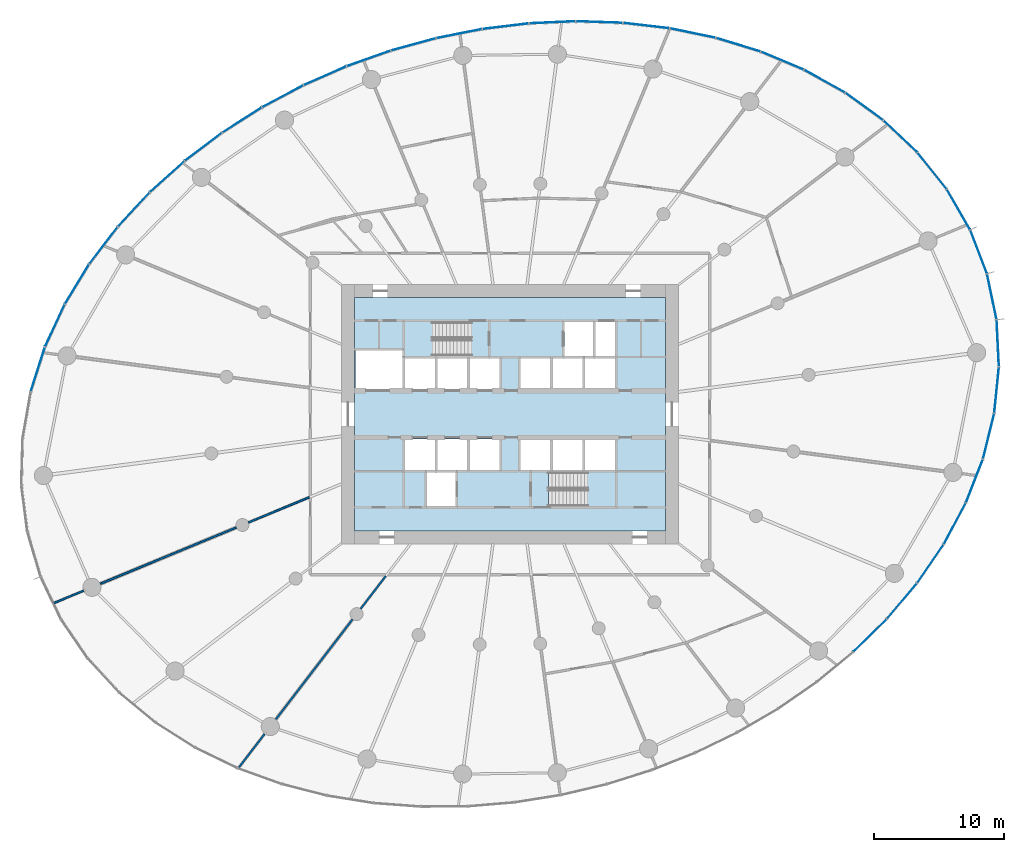
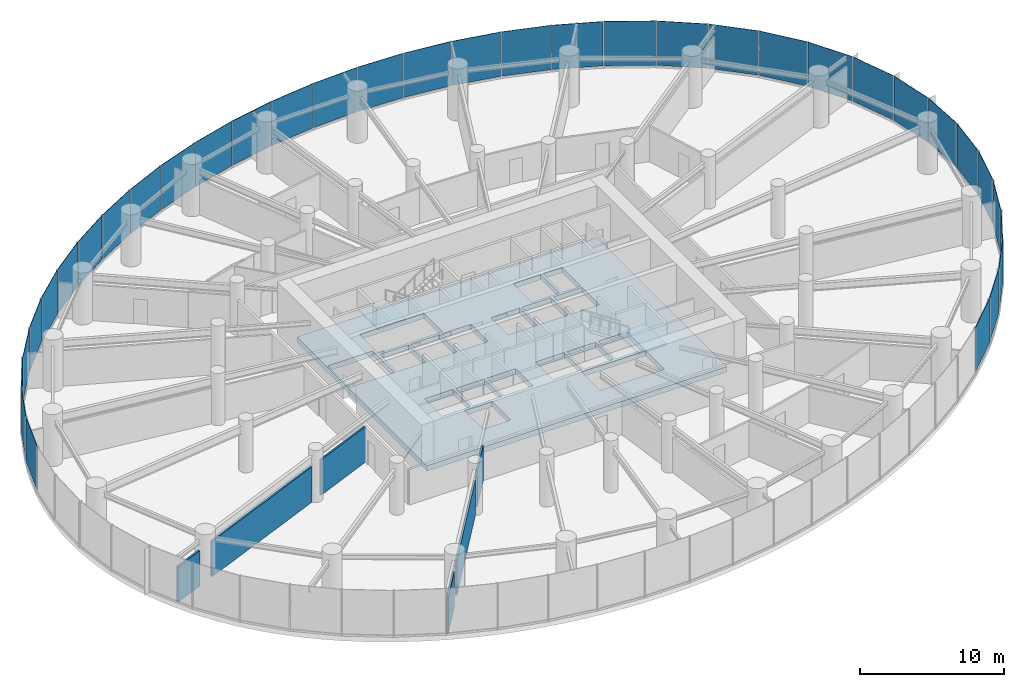
# One storey, part 10 of 18: 35 plates, 6 walls, 3 slabs, 9 elements without a shape of their own.
"""IFC4 building model written with IfcOpenShell, lengths in metres."""

from ifc_helpers import new_model, si_unit, direction, frame, frame_2d, origin, origin_2d, place, context, subcontext, project, spatial, line, indexed_curve, rectangle, outline, extrude, source, transform, mapped, material, layer, layer_set, type_object, element, aggregate, save


model = new_model("IFC4")

# Units and contexts
model_context = context("Model", 3, precision=1e-05, world=origin(), true_north=direction((0.0, 1.0)))
body_context = subcontext(model_context, "Body", "Model", "MODEL_VIEW")
ifc_project = project(units=[si_unit("LENGTHUNIT", "METRE"), si_unit("AREAUNIT", "SQUARE_METRE"), si_unit("VOLUMEUNIT", "CUBIC_METRE"), si_unit("PLANEANGLEUNIT", "RADIAN"), si_unit("MASSUNIT", "GRAM", prefix="KILO")], contexts=[model_context])

# Site, building, storey
site_placement = place(None, origin())
site = spatial("IfcSite", under=ifc_project, at=site_placement, CompositionType="ELEMENT")
building_placement = place(site_placement, origin())
building = spatial("IfcBuilding", under=site, at=building_placement, Name="Spindrift Exchange Tower", CompositionType="ELEMENT")
storey_placement = place(building_placement, frame((0.0, 0.0, 71.0)))
storey = spatial("IfcBuildingStorey", under=building, at=storey_placement, Name="L16", CompositionType="ELEMENT", Elevation=71.0)

# Slab
ifc_material_1 = material(Name="Concrete 50 MPa", Category="concrete")
ifc_layer_1 = layer(ifc_material_1, 0.449951171875)
ifc_layer_set_1 = layer_set([ifc_layer_1], Name="SL-CORE-FLOOR-450")
slab_type_1 = type_object("IfcSlabType", Name="SL-CORE-FLOOR-450", PredefinedType="FLOOR", material=ifc_layer_set_1)
slab_1_placement = place(storey_placement, frame((0.0, 0.0, -0.449951171875)))
element("IfcSlab", 1, at=slab_1_placement, inside=storey, type_object=slab_type_1, Name="L16 Core floor slab", PredefinedType="FLOOR", context=body_context, shape_type="SweptSolid", body=[
    extrude(outline(indexed_curve([(40.0, 39.0), (40.0, 57.0), (64.0, 57.0), (64.0, 39.0)], segments=[line(1, 2, 3, 4, 1)], self_intersect=False), holes=[indexed_curve([(47.800048828125, 43.5), (45.60009765625, 43.5), (45.60009765625, 40.89990234375), (47.800048828125, 40.89990234375)], segments=[line(1, 2, 3, 4, 1)], self_intersect=False), indexed_curve([(46.199951171875, 46.10009765625), (43.89990234375, 46.10009765625), (43.89990234375, 43.699951171875), (46.199951171875, 43.699951171875)], segments=[line(1, 2, 3, 4, 1)], self_intersect=False), indexed_curve([(48.699951171875, 46.10009765625), (46.39990234375, 46.10009765625), (46.39990234375, 43.699951171875), (48.699951171875, 43.699951171875)], segments=[line(1, 2, 3, 4, 1)], self_intersect=False), indexed_curve([(51.199951171875, 46.10009765625), (48.89990234375, 46.10009765625), (48.89990234375, 43.699951171875), (51.199951171875, 43.699951171875)], segments=[line(1, 2, 3, 4, 1)], self_intersect=False), indexed_curve([(46.199951171875, 52.300048828125), (43.89990234375, 52.300048828125), (43.89990234375, 49.89990234375), (46.199951171875, 49.89990234375)], segments=[line(1, 2, 3, 4, 1)], self_intersect=False), indexed_curve([(48.699951171875, 52.300048828125), (46.39990234375, 52.300048828125), (46.39990234375, 49.89990234375), (48.699951171875, 49.89990234375)], segments=[line(1, 2, 3, 4, 1)], self_intersect=False), indexed_curve([(51.199951171875, 52.300048828125), (48.89990234375, 52.300048828125), (48.89990234375, 49.89990234375), (51.199951171875, 49.89990234375)], segments=[line(1, 2, 3, 4, 1)], self_intersect=False), indexed_curve([(43.699951171875, 49.89990234375), (43.699951171875, 52.89990234375), (40.10009765625, 52.89990234375), (40.10009765625, 49.89990234375)], segments=[line(1, 2, 3, 4, 1)], self_intersect=False), indexed_curve([(49.0439453125, 55.093994140625), (43.906005859375, 55.093994140625), (43.906005859375, 52.506103515625), (49.0439453125, 52.506103515625)], segments=[line(1, 2, 3, 4, 1)], self_intersect=False), indexed_curve([(60.093994140625, 40.906005859375), (60.093994140625, 43.493896484375), (54.9560546875, 43.493896484375), (54.9560546875, 40.906005859375)], segments=[line(1, 2, 3, 4, 1)], self_intersect=False), indexed_curve([(55.10009765625, 46.10009765625), (52.800048828125, 46.10009765625), (52.800048828125, 43.699951171875), (55.10009765625, 43.699951171875)], segments=[line(1, 2, 3, 4, 1)], self_intersect=False), indexed_curve([(57.60009765625, 46.10009765625), (55.300048828125, 46.10009765625), (55.300048828125, 43.699951171875), (57.60009765625, 43.699951171875)], segments=[line(1, 2, 3, 4, 1)], self_intersect=False), indexed_curve([(60.10009765625, 46.10009765625), (57.800048828125, 46.10009765625), (57.800048828125, 43.699951171875), (60.10009765625, 43.699951171875)], segments=[line(1, 2, 3, 4, 1)], self_intersect=False), indexed_curve([(55.10009765625, 52.300048828125), (52.800048828125, 52.300048828125), (52.800048828125, 49.89990234375), (55.10009765625, 49.89990234375)], segments=[line(1, 2, 3, 4, 1)], self_intersect=False), indexed_curve([(57.60009765625, 52.300048828125), (55.300048828125, 52.300048828125), (55.300048828125, 49.89990234375), (57.60009765625, 49.89990234375)], segments=[line(1, 2, 3, 4, 1)], self_intersect=False), indexed_curve([(60.10009765625, 52.300048828125), (57.800048828125, 52.300048828125), (57.800048828125, 49.89990234375), (60.10009765625, 49.89990234375)], segments=[line(1, 2, 3, 4, 1)], self_intersect=False), indexed_curve([(58.39990234375, 52.5), (58.39990234375, 55.10009765625), (56.199951171875, 55.10009765625), (56.199951171875, 52.5)], segments=[line(1, 2, 3, 4, 1)], self_intersect=False), indexed_curve([(60.10009765625, 52.5), (60.10009765625, 55.10009765625), (58.60009765625, 55.10009765625), (58.60009765625, 52.5)], segments=[line(1, 2, 3, 4, 1)], self_intersect=False)]), origin(), (0.0, 0.0, 1.0), 0.449951171875),
])

# Stair, slab
stair_type = type_object("IfcStairType", Name="ST-1250-R183", PredefinedType="HALF_TURN_STAIR", material=ifc_material_1)
stair_1_placement = place(storey_placement, origin())
stair_1 = element("IfcStair", 2, at=stair_1_placement, inside=storey, type_object=stair_type, Name="L16 Exit stair ST1", PredefinedType="HALF_TURN_STAIR")
ifc_layer_2 = layer(ifc_material_1, 0.199951171875)
ifc_layer_set_2 = layer_set([ifc_layer_2], Name="SL-LANDING")
slab_type_2 = type_object("IfcSlabType", Name="SL-LANDING", PredefinedType="LANDING", material=ifc_layer_set_2)
slab_2_placement = place(storey_placement, frame((0.0, 0.0, 2.0)))
slab_2 = element("IfcSlab", 3, at=slab_2_placement, type_object=slab_type_2, Name="ST1 landing 1", PredefinedType="LANDING", context=body_context, shape_type="SweptSolid", body=[
    extrude(outline(indexed_curve([(46.050048828125, 52.39990234375), (43.800048828125, 52.39990234375), (43.800048828125, 55.199951171875), (46.050048828125, 55.199951171875)], segments=[line(1, 2, 3, 4, 1)], self_intersect=False)), origin(), (0.0, 0.0, 1.0), 0.199951171875),
])
aggregate(stair_1, [slab_2])

stair_2_placement = place(storey_placement, origin())
stair_2 = element("IfcStair", 4, at=stair_2_placement, inside=storey, type_object=stair_type, Name="L16 Exit stair ST2", PredefinedType="HALF_TURN_STAIR")
slab_3_placement = place(storey_placement, frame((0.0, 0.0, 2.0)))
slab_3 = element("IfcSlab", 5, at=slab_3_placement, type_object=slab_type_2, Name="ST2 landing 1", PredefinedType="LANDING", context=body_context, shape_type="SweptSolid", body=[
    extrude(outline(indexed_curve([(57.949951171875, 43.60009765625), (60.199951171875, 43.60009765625), (60.199951171875, 40.800048828125), (57.949951171875, 40.800048828125)], segments=[line(1, 2, 3, 4, 1)], self_intersect=False)), origin(), (0.0, 0.0, 1.0), 0.199951171875),
])
aggregate(stair_2, [slab_3])

# Curtain wall, plates
ifc_material_2 = material(Name="Fritted laminated glass with bronze frame", Category="glass")
ifc_layer_3 = layer(ifc_material_2, 0.199951171875)
ifc_layer_set_3 = layer_set([ifc_layer_3], Name="ZONE 1 BRONZE FRITTED WALL")
curtain_wall_type = type_object("IfcCurtainWallType", Name="ZONE 1 BRONZE FRITTED WALL", PredefinedType="NOTDEFINED", material=ifc_layer_set_3)
curtain_wall_1_placement = place(storey_placement, origin())
curtain_wall_1 = element("IfcCurtainWall", 6, at=curtain_wall_1_placement, inside=storey, type_object=curtain_wall_type, Name="L16 Zone 1 Bronze Fritted Wall run 1", PredefinedType="NOTDEFINED")
ifc_material_3 = material(Name="Bronze fritted laminated glass, dense frit", Category="glass")
ifc_layer_4 = layer(ifc_material_3, 0.035888671875)
ifc_layer_set_4 = layer_set([ifc_layer_4], Name="ZONE 1 BRONZE FRITTED WALL PANEL DENSE FRIT 300")
plate_type_1 = type_object("IfcPlateType", Name="ZONE 1 BRONZE FRITTED WALL PANEL DENSE FRIT 300", PredefinedType="CURTAIN_PANEL", material=ifc_layer_set_4)
shared_shape_1 = source(origin(), body_context, "Body", "SweptSolid", [
    extrude(rectangle(XDim=3.54443359375, YDim=0.035888671875, at=origin_2d()), origin(), (0.0, 0.0, 1.0), 3.75),
])
plate_1_placement = place(storey_placement, frame((88.142333984375, 60.516357421875, 0.14990234375), z_axis=(0.0, 0.0, 1.0), x_axis=(-0.357769884351, 0.933809782478, 0.0)))
plate_1 = element("IfcPlate", 7, at=plate_1_placement, type_object=plate_type_1, Name="L16 panel CW-1.1", PredefinedType="CURTAIN_PANEL", context=body_context, shape_type="MappedRepresentation", body=[
    mapped(shared_shape_1, transform((0.0, 0.0, 0.0), scale=1.0)),
])
ifc_layer_5 = layer(ifc_material_3, 0.035888671875)
ifc_layer_set_5 = layer_set([ifc_layer_5], Name="ZONE 1 BRONZE FRITTED WALL PANEL DENSE FRIT 420")
plate_type_2 = type_object("IfcPlateType", Name="ZONE 1 BRONZE FRITTED WALL PANEL DENSE FRIT 420", PredefinedType="CURTAIN_PANEL", material=ifc_layer_set_5)
shared_shape_2 = source(origin(), body_context, "Body", "SweptSolid", [
    extrude(rectangle(XDim=3.544677734375, YDim=0.035888671875, at=origin_2d()), origin(), (0.0, 0.0, 1.0), 3.75),
])
plate_2_placement = place(storey_placement, frame((86.589111328125, 63.77880859375, 0.14990234375), z_axis=(0.0, 0.0, 1.0), x_axis=(-0.499442153042, 0.866347237408, 0.0)))
plate_2 = element("IfcPlate", 8, at=plate_2_placement, type_object=plate_type_2, Name="L16 panel CW-1.2", PredefinedType="CURTAIN_PANEL", context=body_context, shape_type="MappedRepresentation", body=[
    mapped(shared_shape_2, transform((0.0, 0.0, 0.0), scale=1.0)),
])

# Curtain wall, plate
curtain_wall_2_placement = place(storey_placement, origin())
curtain_wall_2 = element("IfcCurtainWall", 9, at=curtain_wall_2_placement, inside=storey, type_object=curtain_wall_type, Name="L16 Zone 1 Bronze Fritted Wall run 10", PredefinedType="NOTDEFINED")
plate_3_placement = place(storey_placement, frame((89.622802734375, 53.466552734375, 0.14990234375), z_axis=(0.0, 0.0, 1.0), x_axis=(-0.049301265392, 0.998783953231, 0.0)))
plate_3 = element("IfcPlate", 10, at=plate_3_placement, type_object=plate_type_2, Name="L16 panel CW-1.58", PredefinedType="CURTAIN_PANEL", context=body_context, shape_type="MappedRepresentation", body=[
    mapped(shared_shape_2, transform((0.0, 0.0, 0.0), scale=1.0)),
])

# Plate
shared_shape_3 = source(origin(), body_context, "Body", "SweptSolid", [
    extrude(rectangle(XDim=3.544921875, YDim=0.035888671875, at=origin_2d()), origin(), (0.0, 0.0, 1.0), 3.75),
])
plate_4_placement = place(storey_placement, frame((84.553466796875, 66.765625, 0.14990234375), z_axis=(0.0, 0.0, 1.0), x_axis=(-0.623610849761, 0.781734934655, 0.0)))
plate_4 = element("IfcPlate", 11, at=plate_4_placement, type_object=plate_type_2, Name="L16 panel CW-1.3", PredefinedType="CURTAIN_PANEL", context=body_context, shape_type="MappedRepresentation", body=[
    mapped(shared_shape_3, transform((0.0, 0.0, 0.0), scale=1.0)),
])

plate_5_placement = place(storey_placement, frame((89.529296875, 49.853271484375, 0.14990234375), z_axis=(0.0, 0.0, 1.0), x_axis=(0.100910438968, 0.994895513764, 0.0)))
plate_5 = element("IfcPlate", 12, at=plate_5_placement, type_object=plate_type_2, Name="L16 panel CW-1.57", PredefinedType="CURTAIN_PANEL", context=body_context, shape_type="MappedRepresentation", body=[
    mapped(shared_shape_3, transform((0.0, 0.0, 0.0), scale=1.0)),
])

shared_shape_4 = source(origin(), body_context, "Body", "SweptSolid", [
    extrude(rectangle(XDim=3.54541015625, YDim=0.035888671875, at=origin_2d()), origin(), (0.0, 0.0, 1.0), 3.75),
])
plate_6_placement = place(storey_placement, frame((82.10498046875, 69.4267578125, 0.14990234375), z_axis=(0.0, 0.0, 1.0), x_axis=(-0.727250664222, 0.686371962851, 0.0)))
plate_6 = element("IfcPlate", 13, at=plate_6_placement, type_object=plate_type_1, Name="L16 panel CW-1.4", PredefinedType="CURTAIN_PANEL", context=body_context, shape_type="MappedRepresentation", body=[
    mapped(shared_shape_4, transform((0.0, 0.0, 0.0), scale=1.0)),
])

plate_7_placement = place(storey_placement, frame((88.911865234375, 46.2900390625, 0.14990234375), z_axis=(0.0, 0.0, 1.0), x_axis=(0.239692632489, 0.970848825477, 0.0)))
plate_7 = element("IfcPlate", 14, at=plate_7_placement, type_object=plate_type_1, Name="L16 panel CW-1.56", PredefinedType="CURTAIN_PANEL", context=body_context, shape_type="MappedRepresentation", body=[
    mapped(shared_shape_4, transform((0.0, 0.0, 0.0), scale=1.0)),
])

shared_shape_5 = source(origin(), body_context, "Body", "SweptSolid", [
    extrude(rectangle(XDim=3.5458984375, YDim=0.035888671875, at=origin_2d()), origin(), (0.0, 0.0, 1.0), 3.75),
])
plate_8_placement = place(storey_placement, frame((79.31787109375, 71.73388671875, 0.14990234375), z_axis=(0.0, 0.0, 1.0), x_axis=(-0.810159316604, 0.586209759148, 0.0)))
plate_8 = element("IfcPlate", 15, at=plate_8_placement, type_object=plate_type_2, Name="L16 panel CW-1.5", PredefinedType="CURTAIN_PANEL", context=body_context, shape_type="MappedRepresentation", body=[
    mapped(shared_shape_5, transform((0.0, 0.0, 0.0), scale=1.0)),
])

plate_9_placement = place(storey_placement, frame((87.818115234375, 42.84130859375, 0.14990234375), z_axis=(0.0, 0.0, 1.0), x_axis=(0.363617076744, 0.931548507325, 0.0)))
plate_9 = element("IfcPlate", 16, at=plate_9_placement, type_object=plate_type_2, Name="L16 panel CW-1.55", PredefinedType="CURTAIN_PANEL", context=body_context, shape_type="MappedRepresentation", body=[
    mapped(shared_shape_5, transform((0.0, 0.0, 0.0), scale=1.0)),
])

shared_shape_6 = source(origin(), body_context, "Body", "SweptSolid", [
    extrude(rectangle(XDim=3.546142578125, YDim=0.035888671875, at=origin_2d()), origin(), (0.0, 0.0, 1.0), 3.75),
])
plate_10_placement = place(storey_placement, frame((76.263916015625, 73.677001953125, 0.14990234375), z_axis=(0.0, 0.0, 1.0), x_axis=(-0.874211552241, 0.485545221301, 0.0)))
plate_10 = element("IfcPlate", 17, at=plate_10_placement, type_object=plate_type_2, Name="L16 panel CW-1.6", PredefinedType="CURTAIN_PANEL", context=body_context, shape_type="MappedRepresentation", body=[
    mapped(shared_shape_6, transform((0.0, 0.0, 0.0), scale=1.0)),
])

aggregate(curtain_wall_1, [plate_1, plate_2, plate_4, plate_6, plate_8, plate_10])

# Curtain wall, plate
curtain_wall_3_placement = place(storey_placement, origin())
curtain_wall_3 = element("IfcCurtainWall", 18, at=curtain_wall_3_placement, inside=storey, type_object=curtain_wall_type, Name="L16 Zone 1 Bronze Fritted Wall run 2", PredefinedType="NOTDEFINED")
ifc_layer_6 = layer(ifc_material_3, 0.035888671875)
ifc_layer_set_6 = layer_set([ifc_layer_6], Name="ZONE 1 BRONZE FRITTED WALL PANEL DENSE FRIT 180")
plate_type_3 = type_object("IfcPlateType", Name="ZONE 1 BRONZE FRITTED WALL PANEL DENSE FRIT 180", PredefinedType="CURTAIN_PANEL", material=ifc_layer_set_6)
shared_shape_7 = source(origin(), body_context, "Body", "SweptSolid", [
    extrude(rectangle(XDim=3.546630859375, YDim=0.035888671875, at=origin_2d()), origin(), (0.0, 0.0, 1.0), 3.75),
])
plate_11_placement = place(storey_placement, frame((73.007080078125, 75.25927734375, 0.14990234375), z_axis=(0.0, 0.0, 1.0), x_axis=(-0.921997012314, 0.387196990284, 0.0)))
plate_11 = element("IfcPlate", 19, at=plate_11_placement, type_object=plate_type_3, Name="L16 panel CW-1.7", PredefinedType="CURTAIN_PANEL", context=body_context, shape_type="MappedRepresentation", body=[
    mapped(shared_shape_7, transform((0.0, 0.0, 0.0), scale=1.0)),
])

curtain_wall_4_placement = place(storey_placement, origin())
curtain_wall_4 = element("IfcCurtainWall", 20, at=curtain_wall_4_placement, inside=storey, type_object=curtain_wall_type, Name="L16 Zone 1 Bronze Fritted Wall run 4", PredefinedType="NOTDEFINED")
plate_12_placement = place(storey_placement, frame((20.639404296875, 61.0078125, 0.14990234375), z_axis=(0.0, 0.0, 1.0), x_axis=(-0.607004187253, -0.7946986326, 0.0)))
plate_12 = element("IfcPlate", 21, at=plate_12_placement, type_object=plate_type_3, Name="L16 panel CW-1.23", PredefinedType="CURTAIN_PANEL", context=body_context, shape_type="MappedRepresentation", body=[
    mapped(shared_shape_7, transform((0.0, 0.0, 0.0), scale=1.0)),
])

# Plate
shared_shape_8 = source(origin(), body_context, "Body", "SweptSolid", [
    extrude(rectangle(XDim=3.546875, YDim=0.035888671875, at=origin_2d()), origin(), (0.0, 0.0, 1.0), 3.75),
])
plate_13_placement = place(storey_placement, frame((69.601318359375, 76.491943359375, 0.14990234375), z_axis=(0.0, 0.0, 1.0), x_axis=(-0.956251159992, 0.292546951812, 0.0)))
plate_13 = element("IfcPlate", 22, at=plate_13_placement, type_object=plate_type_1, Name="L16 panel CW-1.8", PredefinedType="CURTAIN_PANEL", context=body_context, shape_type="MappedRepresentation", body=[
    mapped(shared_shape_8, transform((0.0, 0.0, 0.0), scale=1.0)),
])

# Curtain wall, plate
curtain_wall_5_placement = place(storey_placement, origin())
curtain_wall_5 = element("IfcCurtainWall", 23, at=curtain_wall_5_placement, inside=storey, type_object=curtain_wall_type, Name="L16 Zone 1 Bronze Fritted Wall run 9", PredefinedType="NOTDEFINED")
plate_14_placement = place(storey_placement, frame((79.761474609375, 30.92431640625, 0.14990234375), z_axis=(0.0, 0.0, 1.0), x_axis=(0.713856947272, 0.700291552735, 0.0)))
plate_14 = element("IfcPlate", 24, at=plate_14_placement, type_object=plate_type_1, Name="L16 panel CW-1.51", PredefinedType="CURTAIN_PANEL", context=body_context, shape_type="MappedRepresentation", body=[
    mapped(shared_shape_8, transform((0.0, 0.0, 0.0), scale=1.0)),
])

# Plate
shared_shape_9 = source(origin(), body_context, "Body", "SweptSolid", [
    extrude(rectangle(XDim=3.547119140625, YDim=0.035888671875, at=origin_2d()), origin(), (0.0, 0.0, 1.0), 3.75),
])
plate_15_placement = place(storey_placement, frame((66.091064453125, 77.388916015625, 0.14990234375), z_axis=(0.0, 0.0, 1.0), x_axis=(-0.979354266404, 0.202151480027, 0.0)))
plate_15 = element("IfcPlate", 25, at=plate_15_placement, type_object=plate_type_1, Name="L16 panel CW-1.9", PredefinedType="CURTAIN_PANEL", context=body_context, shape_type="MappedRepresentation", body=[
    mapped(shared_shape_9, transform((0.0, 0.0, 0.0), scale=1.0)),
])

plate_16_placement = place(storey_placement, frame((62.513916015625, 77.966064453125, 0.14990234375), z_axis=(0.0, 0.0, 1.0), x_axis=(-0.9932474051, 0.116015482857, 0.0)))
plate_16 = element("IfcPlate", 26, at=plate_16_placement, type_object=plate_type_1, Name="L16 panel CW-1.10", PredefinedType="CURTAIN_PANEL", context=body_context, shape_type="MappedRepresentation", body=[
    mapped(shared_shape_9, transform((0.0, 0.0, 0.0), scale=1.0)),
])

plate_17_placement = place(storey_placement, frame((25.5595703125, 66.316162109375, 0.14990234375), z_axis=(0.0, 0.0, 1.0), x_axis=(-0.74416932766, -0.667991026713, 0.0)))
plate_17 = element("IfcPlate", 27, at=plate_17_placement, type_object=plate_type_1, Name="L16 panel CW-1.21", PredefinedType="CURTAIN_PANEL", context=body_context, shape_type="MappedRepresentation", body=[
    mapped(shared_shape_9, transform((0.0, 0.0, 0.0), scale=1.0)),
])

shared_shape_10 = source(origin(), body_context, "Body", "SweptSolid", [
    extrude(rectangle(XDim=3.54736328125, YDim=0.035888671875, at=origin_2d()), origin(), (0.0, 0.0, 1.0), 3.75),
])
plate_18_placement = place(storey_placement, frame((58.89990234375, 78.23779296875, 0.14990234375), z_axis=(0.0, 0.0, 1.0), x_axis=(-0.999427711627, 0.033826753187, 0.0)))
plate_18 = element("IfcPlate", 28, at=plate_18_placement, type_object=plate_type_2, Name="L16 panel CW-1.11", PredefinedType="CURTAIN_PANEL", context=body_context, shape_type="MappedRepresentation", body=[
    mapped(shared_shape_10, transform((0.0, 0.0, 0.0), scale=1.0)),
])

plate_19_placement = place(storey_placement, frame((55.275390625, 78.2177734375, 0.14990234375), z_axis=(0.0, 0.0, 1.0), x_axis=(-0.998993558677, -0.044853870754, 0.0)))
plate_19 = element("IfcPlate", 29, at=plate_19_placement, type_object=plate_type_2, Name="L16 panel CW-1.12", PredefinedType="CURTAIN_PANEL", context=body_context, shape_type="MappedRepresentation", body=[
    mapped(shared_shape_10, transform((0.0, 0.0, 0.0), scale=1.0)),
])

aggregate(curtain_wall_3, [plate_11, plate_13, plate_15, plate_16, plate_18, plate_19])

# Curtain wall, plates
curtain_wall_6_placement = place(storey_placement, origin())
curtain_wall_6 = element("IfcCurtainWall", 30, at=curtain_wall_6_placement, inside=storey, type_object=curtain_wall_type, Name="L16 Zone 1 Bronze Fritted Wall run 3", PredefinedType="NOTDEFINED")
shared_shape_11 = source(origin(), body_context, "Body", "SweptSolid", [
    extrude(rectangle(XDim=3.54736328125, YDim=0.035888671875, at=origin_2d()), origin(), (0.0, 0.0, 1.0), 3.75),
])
plate_20_placement = place(storey_placement, frame((51.6630859375, 77.91796875, 0.14990234375), z_axis=(0.0, 0.0, 1.0), x_axis=(-0.992716397158, -0.120474706114, 0.0)))
plate_20 = element("IfcPlate", 31, at=plate_20_placement, type_object=plate_type_1, Name="L16 panel CW-1.13", PredefinedType="CURTAIN_PANEL", context=body_context, shape_type="MappedRepresentation", body=[
    mapped(shared_shape_11, transform((0.0, 0.0, 0.0), scale=1.0)),
])
plate_21_placement = place(storey_placement, frame((44.554931640625, 76.516845703125, 0.14990234375), z_axis=(0.0, 0.0, 1.0), x_axis=(-0.9643216962, -0.264733198218, 0.0)))
plate_21 = element("IfcPlate", 32, at=plate_21_placement, type_object=plate_type_1, Name="L16 panel CW-1.15", PredefinedType="CURTAIN_PANEL", context=body_context, shape_type="MappedRepresentation", body=[
    mapped(shared_shape_11, transform((0.0, 0.0, 0.0), scale=1.0)),
])
plate_22_placement = place(storey_placement, frame((34.465576171875, 72.511962890625, 0.14990234375), z_axis=(0.0, 0.0, 1.0), x_axis=(-0.882722981113, -0.469893752475, 0.0)))
plate_22 = element("IfcPlate", 33, at=plate_22_placement, type_object=plate_type_1, Name="L16 panel CW-1.18", PredefinedType="CURTAIN_PANEL", context=body_context, shape_type="MappedRepresentation", body=[
    mapped(shared_shape_11, transform((0.0, 0.0, 0.0), scale=1.0)),
])
shared_shape_12 = source(origin(), body_context, "Body", "SweptSolid", [
    extrude(rectangle(XDim=3.547607421875, YDim=0.035888671875, at=origin_2d()), origin(), (0.0, 0.0, 1.0), 3.75),
])
plate_23_placement = place(storey_placement, frame((48.083251953125, 77.34814453125, 0.14990234375), z_axis=(0.0, 0.0, 1.0), x_axis=(-0.98107362333, -0.193635083613, 0.0)))
plate_23 = element("IfcPlate", 34, at=plate_23_placement, type_object=plate_type_2, Name="L16 panel CW-1.14", PredefinedType="CURTAIN_PANEL", context=body_context, shape_type="MappedRepresentation", body=[
    mapped(shared_shape_12, transform((0.0, 0.0, 0.0), scale=1.0)),
])
shared_shape_13 = source(origin(), body_context, "Body", "SweptSolid", [
    extrude(rectangle(XDim=3.54736328125, YDim=0.035888671875, at=origin_2d()), origin(), (0.0, 0.0, 1.0), 3.75),
])
plate_24_placement = place(storey_placement, frame((41.0966796875, 75.430419921875, 0.14990234375), z_axis=(0.0, 0.0, 1.0), x_axis=(-0.942487583874, -0.334241161803, 0.0)))
plate_24 = element("IfcPlate", 35, at=plate_24_placement, type_object=plate_type_3, Name="L16 panel CW-1.16", PredefinedType="CURTAIN_PANEL", context=body_context, shape_type="MappedRepresentation", body=[
    mapped(shared_shape_13, transform((0.0, 0.0, 0.0), scale=1.0)),
])
plate_25_placement = place(storey_placement, frame((37.726806640625, 74.09423828125, 0.14990234375), z_axis=(0.0, 0.0, 1.0), x_axis=(-0.915412671494, -0.402516634276, 0.0)))
plate_25 = element("IfcPlate", 36, at=plate_25_placement, type_object=plate_type_3, Name="L16 panel CW-1.17", PredefinedType="CURTAIN_PANEL", context=body_context, shape_type="MappedRepresentation", body=[
    mapped(shared_shape_13, transform((0.0, 0.0, 0.0), scale=1.0)),
])
aggregate(curtain_wall_6, [plate_20, plate_23, plate_21, plate_24, plate_25, plate_22])

# Plate
shared_shape_14 = source(origin(), body_context, "Body", "SweptSolid", [
    extrude(rectangle(XDim=3.547119140625, YDim=0.035888671875, at=origin_2d()), origin(), (0.0, 0.0, 1.0), 3.75),
])
plate_26_placement = place(storey_placement, frame((31.334228515625, 70.6865234375, 0.14990234375), z_axis=(0.0, 0.0, 1.0), x_axis=(-0.843866562271, -0.536553096236, 0.0)))
plate_26 = element("IfcPlate", 37, at=plate_26_placement, type_object=plate_type_3, Name="L16 panel CW-1.19", PredefinedType="CURTAIN_PANEL", context=body_context, shape_type="MappedRepresentation", body=[
    mapped(shared_shape_14, transform((0.0, 0.0, 0.0), scale=1.0)),
])

shared_shape_15 = source(origin(), body_context, "Body", "SweptSolid", [
    extrude(rectangle(XDim=3.547119140625, YDim=0.035888671875, at=origin_2d()), origin(), (0.0, 0.0, 1.0), 3.75),
])
plate_27_placement = place(storey_placement, frame((28.3564453125, 68.62060546875, 0.14990234375), z_axis=(0.0, 0.0, 1.0), x_axis=(-0.798017474762, -0.602634308661, 0.0)))
plate_27 = element("IfcPlate", 38, at=plate_27_placement, type_object=plate_type_2, Name="L16 panel CW-1.20", PredefinedType="CURTAIN_PANEL", context=body_context, shape_type="MappedRepresentation", body=[
    mapped(shared_shape_15, transform((0.0, 0.0, 0.0), scale=1.0)),
])

shared_shape_16 = source(origin(), body_context, "Body", "SweptSolid", [
    extrude(rectangle(XDim=3.546875, YDim=0.035888671875, at=origin_2d()), origin(), (0.0, 0.0, 1.0), 3.75),
])
plate_28_placement = place(storey_placement, frame((22.97509765625, 63.77685546875, 0.14990234375), z_axis=(0.0, 0.0, 1.0), x_axis=(-0.681014875671, -0.732269580902, 0.0)))
plate_28 = element("IfcPlate", 39, at=plate_28_placement, type_object=plate_type_3, Name="L16 panel CW-1.22", PredefinedType="CURTAIN_PANEL", context=body_context, shape_type="MappedRepresentation", body=[
    mapped(shared_shape_16, transform((0.0, 0.0, 0.0), scale=1.0)),
])

plate_29_placement = place(storey_placement, frame((82.2265625, 33.579345703125, 0.14990234375), z_axis=(0.0, 0.0, 1.0), x_axis=(0.645471018381, 0.763784763156, 0.0)))
plate_29 = element("IfcPlate", 40, at=plate_29_placement, type_object=plate_type_3, Name="L16 panel CW-1.52", PredefinedType="CURTAIN_PANEL", context=body_context, shape_type="MappedRepresentation", body=[
    mapped(shared_shape_16, transform((0.0, 0.0, 0.0), scale=1.0)),
])

shared_shape_17 = source(origin(), body_context, "Body", "SweptSolid", [
    extrude(rectangle(XDim=3.54638671875, YDim=0.035888671875, at=origin_2d()), origin(), (0.0, 0.0, 1.0), 3.75),
])
plate_30_placement = place(storey_placement, frame((18.594970703125, 58.0185546875, 0.14990234375), z_axis=(0.0, 0.0, 1.0), x_axis=(-0.520485149585, -0.853870721516, 0.0)))
plate_30 = element("IfcPlate", 41, at=plate_30_placement, type_object=plate_type_2, Name="L16 panel CW-1.24", PredefinedType="CURTAIN_PANEL", context=body_context, shape_type="MappedRepresentation", body=[
    mapped(shared_shape_17, transform((0.0, 0.0, 0.0), scale=1.0)),
])

aggregate(curtain_wall_4, [plate_26, plate_27, plate_17, plate_28, plate_12, plate_30])

plate_31_placement = place(storey_placement, frame((86.30322265625, 39.55419921875, 0.14990234375), z_axis=(0.0, 0.0, 1.0), x_axis=(0.471969235818, 0.881615018271, 0.0)))
plate_31 = element("IfcPlate", 42, at=plate_31_placement, type_object=plate_type_2, Name="L16 panel CW-1.54", PredefinedType="CURTAIN_PANEL", context=body_context, shape_type="MappedRepresentation", body=[
    mapped(shared_shape_17, transform((0.0, 0.0, 0.0), scale=1.0)),
])

# Curtain wall, plates
curtain_wall_7_placement = place(storey_placement, origin())
curtain_wall_7 = element("IfcCurtainWall", 43, at=curtain_wall_7_placement, inside=storey, type_object=curtain_wall_type, Name="L16 Zone 1 Bronze Fritted Wall run 5", PredefinedType="NOTDEFINED")
shared_shape_18 = source(origin(), body_context, "Body", "SweptSolid", [
    extrude(rectangle(XDim=3.546142578125, YDim=0.035888671875, at=origin_2d()), origin(), (0.0, 0.0, 1.0), 3.75),
])
plate_32_placement = place(storey_placement, frame((16.89013671875, 54.82470703125, 0.14990234375), z_axis=(0.0, 0.0, 1.0), x_axis=(-0.419737248448, -0.90764565898, 0.0)))
plate_32 = element("IfcPlate", 44, at=plate_32_placement, type_object=plate_type_1, Name="L16 panel CW-1.25", PredefinedType="CURTAIN_PANEL", context=body_context, shape_type="MappedRepresentation", body=[
    mapped(shared_shape_18, transform((0.0, 0.0, 0.0), scale=1.0)),
])
shared_shape_19 = source(origin(), body_context, "Body", "SweptSolid", [
    extrude(rectangle(XDim=3.545654296875, YDim=0.035888671875, at=origin_2d()), origin(), (0.0, 0.0, 1.0), 3.75),
])
plate_33_placement = place(storey_placement, frame((15.57861328125, 51.451904296875, 0.14990234375), z_axis=(0.0, 0.0, 1.0), x_axis=(-0.303589084907, -0.9528030581, 0.0)))
plate_33 = element("IfcPlate", 45, at=plate_33_placement, type_object=plate_type_1, Name="L16 panel CW-1.26", PredefinedType="CURTAIN_PANEL", context=body_context, shape_type="MappedRepresentation", body=[
    mapped(shared_shape_19, transform((0.0, 0.0, 0.0), scale=1.0)),
])
aggregate(curtain_wall_7, [plate_32, plate_33])

# Plate
shared_shape_20 = source(origin(), body_context, "Body", "SweptSolid", [
    extrude(rectangle(XDim=3.54638671875, YDim=0.035888671875, at=origin_2d()), origin(), (0.0, 0.0, 1.0), 3.75),
])
plate_34_placement = place(storey_placement, frame((84.42236328125, 36.4599609375, 0.14990234375), z_axis=(0.0, 0.0, 1.0), x_axis=(0.565414789635, 0.824806714123, 0.0)))
plate_34 = element("IfcPlate", 46, at=plate_34_placement, type_object=plate_type_1, Name="L16 panel CW-1.53", PredefinedType="CURTAIN_PANEL", context=body_context, shape_type="MappedRepresentation", body=[
    mapped(shared_shape_20, transform((0.0, 0.0, 0.0), scale=1.0)),
])

aggregate(curtain_wall_5, [plate_14, plate_29, plate_34, plate_31])

shared_shape_21 = source(origin(), body_context, "Body", "SweptSolid", [
    extrude(rectangle(XDim=3.544189453125, YDim=0.035888671875, at=origin_2d()), origin(), (0.0, 0.0, 1.0), 3.75),
])
plate_35_placement = place(storey_placement, frame((89.162109375, 57.05029296875, 0.14990234375), z_axis=(0.0, 0.0, 1.0), x_axis=(-0.204921435543, 0.978778425005, 0.0)))
plate_35 = element("IfcPlate", 47, at=plate_35_placement, type_object=plate_type_1, Name="L16 panel CW-1.59", PredefinedType="CURTAIN_PANEL", context=body_context, shape_type="MappedRepresentation", body=[
    mapped(shared_shape_21, transform((0.0, 0.0, 0.0), scale=1.0)),
])

aggregate(curtain_wall_2, [plate_9, plate_7, plate_5, plate_3, plate_35])

# Walls
ifc_material_4 = material(Name="Fire-rated plasterboard partition", Category="gypsum")
ifc_layer_7 = layer(ifc_material_4, 0.139892578125)
ifc_layer_set_7 = layer_set([ifc_layer_7], Name="W-PART-140")
wall_type = type_object("IfcWallType", Name="W-PART-140", PredefinedType="PARTITIONING", material=ifc_layer_set_7)
wall_1_placement = place(storey_placement, frame((30.89404296875, 39.2578125, 0.0), z_axis=(0.0, 0.0, 1.0), x_axis=(-0.923875075531, -0.382694192291, 0.0)))
element("IfcWall", 48, at=wall_1_placement, inside=storey, type_object=wall_type, Name="L16 Partition wall 66", PredefinedType="PARTITIONING", context=body_context, shape_type="SweptSolid", body=[
    extrude(rectangle(XDim=11.356201171875, YDim=0.139892578125, at=frame_2d((5.67822265625, 0.0))), origin(), (0.0, 0.0, 1.0), 3.0),
])
wall_2_placement = place(storey_placement, frame((39.85791015625, 32.176025390625, 0.0), z_axis=(0.0, 0.0, 1.0), x_axis=(-0.608770295053, -0.793346537057, 0.0)))
element("IfcWall", 49, at=wall_2_placement, inside=storey, type_object=wall_type, Name="L16 Partition wall 70", PredefinedType="PARTITIONING", context=body_context, shape_type="SweptSolid", body=[
    extrude(rectangle(XDim=9.727294921875, YDim=0.139892578125, at=frame_2d((4.86376953125, 0.0))), origin(), (0.0, 0.0, 1.0), 3.0),
])
wall_3_placement = place(storey_placement, frame((36.510009765625, 41.583740234375, 0.0), z_axis=(0.0, 0.0, 1.0), x_axis=(-0.923890025086, -0.382658100067, 0.0)))
element("IfcWall", 50, at=wall_3_placement, inside=storey, type_object=wall_type, Name="L16 Partition wall 91", PredefinedType="PARTITIONING", context=body_context, shape_type="SweptSolid", body=[
    extrude(rectangle(XDim=5.068359375, YDim=0.139892578125, at=frame_2d((2.5341796875, 0.0))), origin(), (0.0, 0.0, 1.0), 3.0),
])
wall_4_placement = place(storey_placement, frame((42.416015625, 35.510009765625, 0.0), z_axis=(0.0, 0.0, 1.0), x_axis=(-0.60874605662, -0.793365135703, 0.0)))
element("IfcWall", 51, at=wall_4_placement, inside=storey, type_object=wall_type, Name="L16 Partition wall 105", PredefinedType="PARTITIONING", context=body_context, shape_type="SweptSolid", body=[
    extrude(rectangle(XDim=3.193603515625, YDim=0.139892578125, at=frame_2d((1.5966796875, 0.0))), origin(), (0.0, 0.0, 1.0), 3.0),
])
wall_5_placement = place(storey_placement, frame((33.0791015625, 23.341552734375, 0.0), z_axis=(0.0, 0.0, 1.0), x_axis=(-0.608787991926, -0.793332957141, 0.0)))
element("IfcWall", 52, at=wall_5_placement, inside=storey, type_object=wall_type, Name="L16 Partition wall 106", PredefinedType="PARTITIONING", context=body_context, shape_type="SweptSolid", body=[
    extrude(rectangle(XDim=3.2490234375, YDim=0.139892578125, at=frame_2d((1.62451171875, 0.0))), origin(), (0.0, 0.0, 1.0), 3.0),
])
wall_6_placement = place(storey_placement, frame((19.099853515625, 34.372314453125, 0.0), z_axis=(0.0, 0.0, 1.0), x_axis=(-0.92388481198, -0.382670686352, 0.0)))
element("IfcWall", 53, at=wall_6_placement, inside=storey, type_object=wall_type, Name="L16 Partition wall 111", PredefinedType="PARTITIONING", context=body_context, shape_type="SweptSolid", body=[
    extrude(rectangle(XDim=2.479248046875, YDim=0.139892578125, at=frame_2d((1.23974609375, 0.0))), origin(), (0.0, 0.0, 1.0), 3.0),
])

save(model, "model.ifc")
